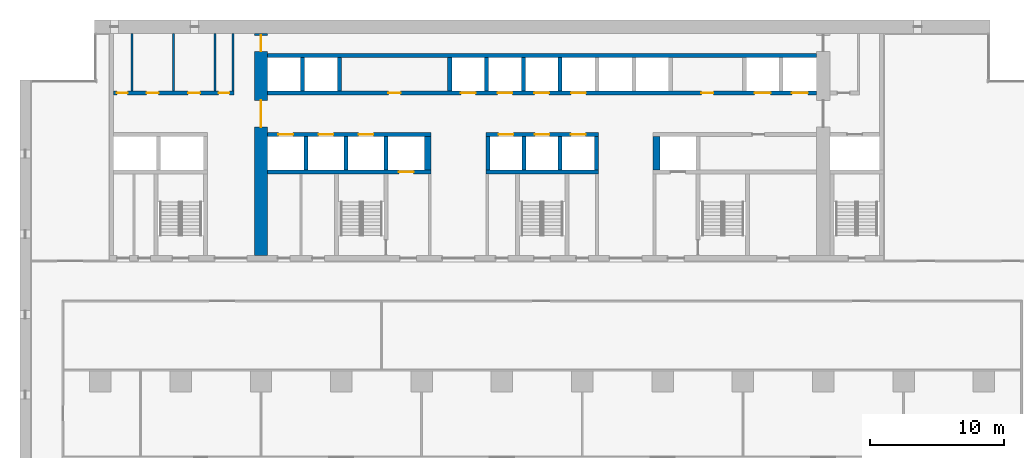
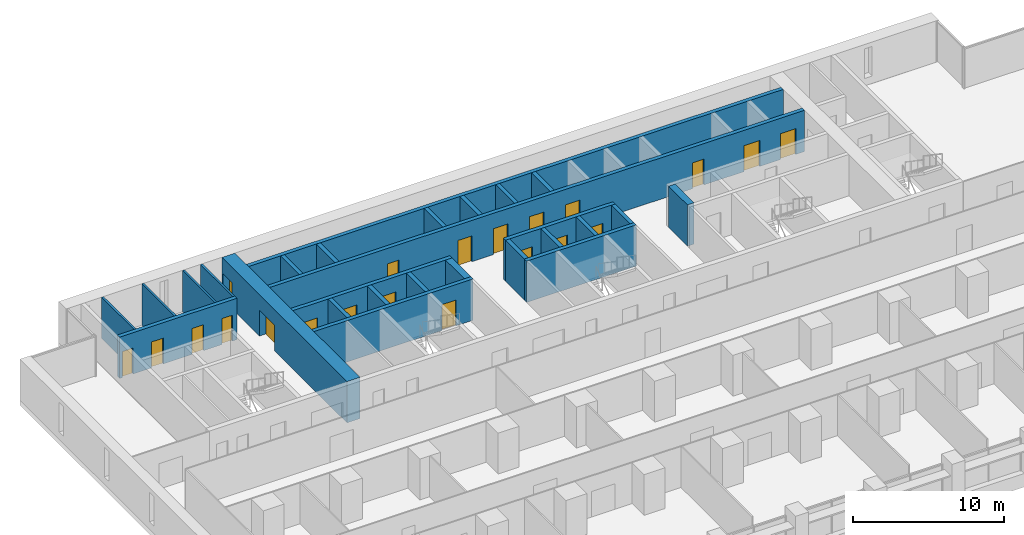
# One storey, part 11 of 18: 27 walls, 21 doors, 21 openings.
"""IFC4 building model written with IfcOpenShell, lengths in metres."""

from ifc_helpers import new_model, si_unit, direction, frame, frame_2d, origin, place, context, subcontext, project, spatial, rectangle, extrude, material, layer, layer_set, type_object, element, fill, save


model = new_model("IFC4")

# Units and contexts
model_context = context("Model", 3, precision=1e-05, world=origin(), true_north=direction((0.0, 1.0)))
body_context = subcontext(model_context, "Body", "Model", "MODEL_VIEW")
ifc_project = project(units=[si_unit("LENGTHUNIT", "METRE"), si_unit("AREAUNIT", "SQUARE_METRE"), si_unit("VOLUMEUNIT", "CUBIC_METRE"), si_unit("PLANEANGLEUNIT", "RADIAN"), si_unit("MASSUNIT", "GRAM", prefix="KILO")], contexts=[model_context])

# Site, building, storey
site_placement = place(None, origin())
site = spatial("IfcSite", under=ifc_project, at=site_placement, CompositionType="ELEMENT")
building_placement = place(site_placement, origin())
building = spatial("IfcBuilding", under=site, at=building_placement, Name="Calvaro Tower", CompositionType="ELEMENT")
storey_placement = place(building_placement, frame((0.0, 0.0, 63.75)))
storey = spatial("IfcBuildingStorey", under=building, at=storey_placement, Name="L15", CompositionType="ELEMENT", Elevation=63.75)

# Walls
ifc_material_1 = material(Name="Blockwork partition", Category="masonry")
ifc_layer_1 = layer(ifc_material_1, 0.14990234375)
ifc_layer_set_1 = layer_set([ifc_layer_1], Name="Blockwork partition")
wall_type_1 = type_object("IfcWallType", Name="Core partition 150 EI 60", PredefinedType="PARTITIONING", material=ifc_layer_set_1)
for number, where, z_axis, x_axis, name in (
    (1, (8.35009765625, 40.699951171875, 0.0), (0.0, 0.0, 1.0), (0.0, 1.0, 0.0), "Core partition"),
    (2, (11.449951171875, 40.699951171875, 0.0), (0.0, 0.0, 1.0), (0.0, 1.0, 0.0), "Core partition"),
    (3, (14.550048828125, 40.699951171875, 0.0), (0.0, 0.0, 1.0), (0.0, 1.0, 0.0), "Core partition"),
):
    element("IfcWall", number, at=place(storey_placement, frame(where, z_axis=z_axis, x_axis=x_axis)), inside=storey, type_object=wall_type_1, Name=name, PredefinedType="PARTITIONING", context=body_context, shape_type="SweptSolid", body=[
        extrude(rectangle(XDim=4.300048828125, YDim=0.14990234375, at=frame_2d((2.14990234375, 0.0))), origin(), (0.0, 0.0, 1.0), 3.35009765625),
    ])
ifc_material_2 = material(Name="Blockwork partition", Category="masonry")
ifc_layer_2 = layer(ifc_material_2, 0.14990234375)
ifc_layer_set_2 = layer_set([ifc_layer_2], Name="Blockwork partition")
wall_type_2 = type_object("IfcWallType", Name="Core partition 150 REI 120", PredefinedType="PARTITIONING", material=ifc_layer_set_2)
wall_1_placement = place(storey_placement, frame((15.925048828125, 40.699951171875, 0.0), z_axis=(0.0, 0.0, 1.0), x_axis=(0.0, 1.0, 0.0)))
element("IfcWall", 4, at=wall_1_placement, inside=storey, type_object=wall_type_2, Name="Core partition", PredefinedType="PARTITIONING", context=body_context, shape_type="SweptSolid", body=[
    extrude(rectangle(XDim=4.300048828125, YDim=0.14990234375, at=frame_2d((2.14990234375, 0.0))), origin(), (0.0, 0.0, 1.0), 3.35009765625),
])

# Wall, openings, doors
ifc_material_3 = material(Name="Blockwork partition", Category="masonry")
ifc_layer_3 = layer(ifc_material_3, 0.300048828125)
ifc_layer_set_3 = layer_set([ifc_layer_3], Name="Blockwork partition")
wall_type_3 = type_object("IfcWallType", Name="Core partition 300 REI 120", PredefinedType="PARTITIONING", material=ifc_layer_set_3)
wall_2_placement = place(storey_placement, frame((7.0, 40.550048828125, 0.0), z_axis=(0.0, 0.0, 1.0), x_axis=(1.0, 0.0, 0.0)))
wall_2 = element("IfcWall", 5, at=wall_2_placement, inside=storey, type_object=wall_type_3, Name="Core partition", PredefinedType="PARTITIONING", context=body_context, shape_type="SweptSolid", body=[
    extrude(rectangle(XDim=9.0, YDim=0.300048828125, at=frame_2d((4.5, 0.0))), origin(), (0.0, 0.0, 1.0), 3.35009765625),
])
opening_1_placement = place(wall_2_placement, frame((0.237548828125, 0.0, 0.0)))
opening_1 = element("IfcOpeningElement", 6, at=opening_1_placement, cuts=wall_2, Name="Opening RD8", PredefinedType="OPENING", context=body_context, shape_type="SweptSolid", body=[
    extrude(rectangle(XDim=0.800048828125, YDim=2.10009765625, at=frame_2d((0.39990234375, 1.050048828125))), frame((0.0, 0.159912109375, 0.0), z_axis=(0.0, -1.0, 0.0), x_axis=(1.0, 0.0, 0.0)), (0.0, 0.0, 1.0), 0.320068359375),
])
opening_2_placement = place(wall_2_placement, frame((2.449951171875, 0.0, 0.0)))
opening_2 = element("IfcOpeningElement", 7, at=opening_2_placement, cuts=wall_2, Name="Opening RD9", PredefinedType="OPENING", context=body_context, shape_type="SweptSolid", body=[
    extrude(rectangle(XDim=0.89990234375, YDim=2.10009765625, at=frame_2d((0.449951171875, 1.050048828125))), frame((0.0, 0.159912109375, 0.0), z_axis=(0.0, -1.0, 0.0), x_axis=(1.0, 0.0, 0.0)), (0.0, 0.0, 1.0), 0.320068359375),
])
opening_3_placement = place(wall_2_placement, frame((5.550048828125, 0.0, 0.0)))
opening_3 = element("IfcOpeningElement", 8, at=opening_3_placement, cuts=wall_2, Name="Opening RD9", PredefinedType="OPENING", context=body_context, shape_type="SweptSolid", body=[
    extrude(rectangle(XDim=0.89990234375, YDim=2.10009765625, at=frame_2d((0.449951171875, 1.050048828125))), frame((0.0, 0.159912109375, 0.0), z_axis=(0.0, -1.0, 0.0), x_axis=(1.0, 0.0, 0.0)), (0.0, 0.0, 1.0), 0.320068359375),
])
opening_4_placement = place(wall_2_placement, frame((7.83740234375, 0.0, 0.0)))
opening_4 = element("IfcOpeningElement", 9, at=opening_4_placement, cuts=wall_2, Name="Opening RD8C", PredefinedType="OPENING", context=body_context, shape_type="SweptSolid", body=[
    extrude(rectangle(XDim=0.800048828125, YDim=2.10009765625, at=frame_2d((0.39990234375, 1.050048828125))), frame((0.0, 0.159912109375, 0.0), z_axis=(0.0, -1.0, 0.0), x_axis=(1.0, 0.0, 0.0)), (0.0, 0.0, 1.0), 0.320068359375),
])
ifc_material_4 = material(Name="Steel door set", Category="steel")
door_type_1 = type_object("IfcDoorType", Name="Room door 800", OperationType="SINGLE_SWING_LEFT", PredefinedType="DOOR", material=ifc_material_4)
door_1_placement = place(opening_1_placement, origin())
door_1 = element("IfcDoor", 10, at=door_1_placement, inside=storey, type_object=door_type_1, Name="Room door", OperationType="SINGLE_SWING_LEFT", OverallHeight=2.10009765625, OverallWidth=0.800048828125, PredefinedType="DOOR", context=body_context, shape_type="SweptSolid", body=[
    extrude(rectangle(XDim=0.800048828125, YDim=2.10009765625, at=frame_2d((0.39990234375, 1.050048828125))), frame((0.0, 0.02490234375, 0.0), z_axis=(0.0, -1.0, 0.0), x_axis=(1.0, 0.0, 0.0)), (0.0, 0.0, 1.0), 0.050048828125),
])
fill(opening_1, door_1)
ifc_material_5 = material(Name="Steel door set", Category="steel")
door_type_2 = type_object("IfcDoorType", Name="Room door 800 FD30", OperationType="SINGLE_SWING_LEFT", PredefinedType="DOOR", material=ifc_material_5)
door_2_placement = place(opening_4_placement, origin())
door_2 = element("IfcDoor", 11, at=door_2_placement, inside=storey, type_object=door_type_2, Name="Room door", OperationType="SINGLE_SWING_RIGHT", OverallHeight=2.10009765625, OverallWidth=0.800048828125, PredefinedType="DOOR", context=body_context, shape_type="SweptSolid", body=[
    extrude(rectangle(XDim=0.800048828125, YDim=2.10009765625, at=frame_2d((0.39990234375, 1.050048828125))), frame((0.0, 0.02490234375, 0.0), z_axis=(0.0, -1.0, 0.0), x_axis=(1.0, 0.0, 0.0)), (0.0, 0.0, 1.0), 0.050048828125),
])
fill(opening_4, door_2)
ifc_material_6 = material(Name="Steel door set", Category="steel")
door_type_3 = type_object("IfcDoorType", Name="Room door 900", OperationType="SINGLE_SWING_LEFT", PredefinedType="DOOR", material=ifc_material_6)
door_3_placement = place(opening_2_placement, origin())
door_3 = element("IfcDoor", 12, at=door_3_placement, inside=storey, type_object=door_type_3, Name="Room door", OperationType="SINGLE_SWING_LEFT", OverallHeight=2.10009765625, OverallWidth=0.89990234375, PredefinedType="DOOR", context=body_context, shape_type="SweptSolid", body=[
    extrude(rectangle(XDim=0.89990234375, YDim=2.10009765625, at=frame_2d((0.449951171875, 1.050048828125))), frame((0.0, 0.02490234375, 0.0), z_axis=(0.0, -1.0, 0.0), x_axis=(1.0, 0.0, 0.0)), (0.0, 0.0, 1.0), 0.050048828125),
])
fill(opening_2, door_3)
door_4_placement = place(opening_3_placement, origin())
door_4 = element("IfcDoor", 13, at=door_4_placement, inside=storey, type_object=door_type_3, Name="Room door", OperationType="SINGLE_SWING_LEFT", OverallHeight=2.10009765625, OverallWidth=0.89990234375, PredefinedType="DOOR", context=body_context, shape_type="SweptSolid", body=[
    extrude(rectangle(XDim=0.89990234375, YDim=2.10009765625, at=frame_2d((0.449951171875, 1.050048828125))), frame((0.0, 0.02490234375, 0.0), z_axis=(0.0, -1.0, 0.0), x_axis=(1.0, 0.0, 0.0)), (0.0, 0.0, 1.0), 0.050048828125),
])
fill(opening_3, door_4)

ifc_material_7 = material(Name="Concrete C80/95", Category="concrete")
ifc_layer_4 = layer(ifc_material_7, 1.0)
ifc_layer_set_4 = layer_set([ifc_layer_4], Name="Concrete C80/95")
wall_type_4 = type_object("IfcWallType", Name="Core wall C80/95 1000", PredefinedType="SHEAR", material=ifc_layer_set_4)
wall_3_placement = place(storey_placement, frame((18.0, 28.39990234375, 0.0), z_axis=(0.0, 0.0, 1.0), x_axis=(0.0, 1.0, 0.0)))
wall_3 = element("IfcWall", 14, at=wall_3_placement, inside=storey, type_object=wall_type_4, Name="Core wall, cross shear wall", PredefinedType="SHEAR", context=body_context, shape_type="SweptSolid", body=[
    extrude(rectangle(XDim=16.60009765625, YDim=1.0, at=frame_2d((8.300048828125, 0.0))), origin(), (0.0, 0.0, 1.0), 3.35009765625),
])
opening_5_placement = place(wall_3_placement, frame((9.60009765625, 0.0, 0.0)))
opening_5 = element("IfcOpeningElement", 15, at=opening_5_placement, cuts=wall_3, Name="Opening DD20D", PredefinedType="OPENING", context=body_context, shape_type="SweptSolid", body=[
    extrude(rectangle(XDim=2.0, YDim=2.10009765625, at=frame_2d((1.0, 1.050048828125))), frame((0.0, 0.510009765625, 0.0), z_axis=(0.0, -1.0, 0.0), x_axis=(1.0, 0.0, 0.0)), (0.0, 0.0, 1.0), 1.02001953125),
])
opening_6_placement = place(wall_3_placement, frame((15.25, 0.0, 0.0)))
opening_6 = element("IfcOpeningElement", 16, at=opening_6_placement, cuts=wall_3, Name="Opening FD12C", PredefinedType="OPENING", context=body_context, shape_type="SweptSolid", body=[
    extrude(rectangle(XDim=1.199951171875, YDim=2.10009765625, at=frame_2d((0.60009765625, 1.050048828125))), frame((0.0, 0.510009765625, 0.0), z_axis=(0.0, -1.0, 0.0), x_axis=(1.0, 0.0, 0.0)), (0.0, 0.0, 1.0), 1.02001953125),
])
ifc_material_8 = material(Name="Steel door set", Category="steel")
door_type_4 = type_object("IfcDoorType", Name="Fire door 1200 FD30", OperationType="SINGLE_SWING_LEFT", PredefinedType="DOOR", material=ifc_material_8)
door_5_placement = place(opening_6_placement, origin())
door_5 = element("IfcDoor", 17, at=door_5_placement, inside=storey, type_object=door_type_4, Name="Fire door", OperationType="SINGLE_SWING_LEFT", OverallHeight=2.10009765625, OverallWidth=1.199951171875, PredefinedType="DOOR", context=body_context, shape_type="SweptSolid", body=[
    extrude(rectangle(XDim=1.199951171875, YDim=2.10009765625, at=frame_2d((0.60009765625, 1.050048828125))), frame((0.0, 0.02490234375, 0.0), z_axis=(0.0, -1.0, 0.0), x_axis=(1.0, 0.0, 0.0)), (0.0, 0.0, 1.0), 0.050048828125),
])
fill(opening_6, door_5)
ifc_material_9 = material(Name="Steel door set", Category="steel")
door_type_5 = type_object("IfcDoorType", Name="Lobby double door 2000 FD30S", OperationType="DOUBLE_DOOR_SINGLE_SWING", PredefinedType="DOOR", material=ifc_material_9)
door_6_placement = place(opening_5_placement, origin())
door_6 = element("IfcDoor", 18, at=door_6_placement, inside=storey, type_object=door_type_5, Name="Lobby double door", OperationType="DOUBLE_DOOR_SINGLE_SWING", OverallHeight=2.10009765625, OverallWidth=2.0, PredefinedType="DOOR", context=body_context, shape_type="SweptSolid", body=[
    extrude(rectangle(XDim=2.0, YDim=2.10009765625, at=frame_2d((1.0, 1.050048828125))), frame((0.0, 0.02490234375, 0.0), z_axis=(0.0, -1.0, 0.0), x_axis=(1.0, 0.0, 0.0)), (0.0, 0.0, 1.0), 0.050048828125),
])
fill(opening_5, door_6)

# Wall, opening, door
ifc_material_10 = material(Name="Concrete C80/95", Category="concrete")
ifc_layer_5 = layer(ifc_material_10, 0.300048828125)
ifc_layer_set_5 = layer_set([ifc_layer_5], Name="Concrete C80/95")
wall_type_5 = type_object("IfcWallType", Name="Core wall C80/95 300", PredefinedType="SHEAR", material=ifc_layer_set_5)
wall_4_placement = place(storey_placement, frame((18.5, 34.64990234375, 0.0), z_axis=(0.0, 0.0, 1.0), x_axis=(1.0, 0.0, 0.0)))
wall_4 = element("IfcWall", 19, at=wall_4_placement, inside=storey, type_object=wall_type_5, Name="Core wall, lift shaft", PredefinedType="SHEAR", context=body_context, shape_type="SweptSolid", body=[
    extrude(rectangle(XDim=12.199951171875, YDim=0.300048828125, at=frame_2d((6.10009765625, 0.0))), origin(), (0.0, 0.0, 1.0), 3.35009765625),
])
opening_7_placement = place(wall_4_placement, frame((9.800048828125, 0.0, 0.0)))
opening_7 = element("IfcOpeningElement", 20, at=opening_7_placement, cuts=wall_4, Name="Opening FF1", PredefinedType="OPENING", context=body_context, shape_type="SweptSolid", body=[
    extrude(rectangle(XDim=1.10009765625, YDim=2.10009765625, at=frame_2d((0.550048828125, 1.050048828125))), frame((0.0, 0.159912109375, 0.0), z_axis=(0.0, -1.0, 0.0), x_axis=(1.0, 0.0, 0.0)), (0.0, 0.0, 1.0), 0.320068359375),
])
ifc_material_11 = material(Name="Stainless steel", Category="steel")
door_type_6 = type_object("IfcDoorType", Name="Landing door 1100 E 60", OperationType="SLIDING_TO_LEFT", PredefinedType="DOOR", material=ifc_material_11)
door_7_placement = place(opening_7_placement, origin())
door_7 = element("IfcDoor", 21, at=door_7_placement, inside=storey, type_object=door_type_6, Name="Landing door FF1", OperationType="SLIDING_TO_LEFT", OverallHeight=2.10009765625, OverallWidth=1.10009765625, PredefinedType="DOOR", context=body_context, shape_type="SweptSolid", body=[
    extrude(rectangle(XDim=1.10009765625, YDim=2.10009765625, at=frame_2d((0.550048828125, 1.050048828125))), frame((0.0, 0.02490234375, 0.0), z_axis=(0.0, -1.0, 0.0), x_axis=(1.0, 0.0, 0.0)), (0.0, 0.0, 1.0), 0.050048828125),
])
fill(opening_7, door_7)

# Wall
wall_5_placement = place(storey_placement, frame((34.800048828125, 34.64990234375, 0.0), z_axis=(0.0, 0.0, 1.0), x_axis=(1.0, 0.0, 0.0)))
element("IfcWall", 22, at=wall_5_placement, inside=storey, type_object=wall_type_5, Name="Core wall, lift shaft", PredefinedType="SHEAR", context=body_context, shape_type="SweptSolid", body=[
    extrude(rectangle(XDim=8.39990234375, YDim=0.300048828125, at=frame_2d((4.199951171875, 0.0))), origin(), (0.0, 0.0, 1.0), 3.35009765625),
])

# Wall, openings, doors
wall_6_placement = place(storey_placement, frame((18.5, 37.449951171875, 0.0), z_axis=(0.0, 0.0, 1.0), x_axis=(1.0, 0.0, 0.0)))
wall_6 = element("IfcWall", 23, at=wall_6_placement, inside=storey, type_object=wall_type_5, Name="Core wall, lift shaft", PredefinedType="SHEAR", context=body_context, shape_type="SweptSolid", body=[
    extrude(rectangle(XDim=12.199951171875, YDim=0.300048828125, at=frame_2d((6.10009765625, 0.0))), origin(), (0.0, 0.0, 1.0), 3.35009765625),
])
opening_8_placement = place(wall_6_placement, frame((0.800048828125, 0.0, 0.0)))
opening_8 = element("IfcOpeningElement", 24, at=opening_8_placement, cuts=wall_6, Name="Opening LR1", PredefinedType="OPENING", context=body_context, shape_type="SweptSolid", body=[
    extrude(rectangle(XDim=1.10009765625, YDim=2.10009765625, at=frame_2d((0.550048828125, 1.050048828125))), frame((0.0, 0.159912109375, 0.0), z_axis=(0.0, -1.0, 0.0), x_axis=(1.0, 0.0, 0.0)), (0.0, 0.0, 1.0), 0.320068359375),
])
opening_9_placement = place(wall_6_placement, frame((3.800048828125, 0.0, 0.0)))
opening_9 = element("IfcOpeningElement", 25, at=opening_9_placement, cuts=wall_6, Name="Opening LR2", PredefinedType="OPENING", context=body_context, shape_type="SweptSolid", body=[
    extrude(rectangle(XDim=1.10009765625, YDim=2.10009765625, at=frame_2d((0.550048828125, 1.050048828125))), frame((0.0, 0.159912109375, 0.0), z_axis=(0.0, -1.0, 0.0), x_axis=(1.0, 0.0, 0.0)), (0.0, 0.0, 1.0), 0.320068359375),
])
opening_10_placement = place(wall_6_placement, frame((6.800048828125, 0.0, 0.0)))
opening_10 = element("IfcOpeningElement", 26, at=opening_10_placement, cuts=wall_6, Name="Opening LR3", PredefinedType="OPENING", context=body_context, shape_type="SweptSolid", body=[
    extrude(rectangle(XDim=1.10009765625, YDim=2.10009765625, at=frame_2d((0.550048828125, 1.050048828125))), frame((0.0, 0.159912109375, 0.0), z_axis=(0.0, -1.0, 0.0), x_axis=(1.0, 0.0, 0.0)), (0.0, 0.0, 1.0), 0.320068359375),
])
door_8_placement = place(opening_8_placement, origin())
door_8 = element("IfcDoor", 27, at=door_8_placement, inside=storey, type_object=door_type_6, Name="Landing door LR1", OperationType="SLIDING_TO_LEFT", OverallHeight=2.10009765625, OverallWidth=1.10009765625, PredefinedType="DOOR", context=body_context, shape_type="SweptSolid", body=[
    extrude(rectangle(XDim=1.10009765625, YDim=2.10009765625, at=frame_2d((0.550048828125, 1.050048828125))), frame((0.0, 0.02490234375, 0.0), z_axis=(0.0, -1.0, 0.0), x_axis=(1.0, 0.0, 0.0)), (0.0, 0.0, 1.0), 0.050048828125),
])
fill(opening_8, door_8)
door_9_placement = place(opening_9_placement, origin())
door_9 = element("IfcDoor", 28, at=door_9_placement, inside=storey, type_object=door_type_6, Name="Landing door LR2", OperationType="SLIDING_TO_LEFT", OverallHeight=2.10009765625, OverallWidth=1.10009765625, PredefinedType="DOOR", context=body_context, shape_type="SweptSolid", body=[
    extrude(rectangle(XDim=1.10009765625, YDim=2.10009765625, at=frame_2d((0.550048828125, 1.050048828125))), frame((0.0, 0.02490234375, 0.0), z_axis=(0.0, -1.0, 0.0), x_axis=(1.0, 0.0, 0.0)), (0.0, 0.0, 1.0), 0.050048828125),
])
fill(opening_9, door_9)
door_10_placement = place(opening_10_placement, origin())
door_10 = element("IfcDoor", 29, at=door_10_placement, inside=storey, type_object=door_type_6, Name="Landing door LR3", OperationType="SLIDING_TO_LEFT", OverallHeight=2.10009765625, OverallWidth=1.10009765625, PredefinedType="DOOR", context=body_context, shape_type="SweptSolid", body=[
    extrude(rectangle(XDim=1.10009765625, YDim=2.10009765625, at=frame_2d((0.550048828125, 1.050048828125))), frame((0.0, 0.02490234375, 0.0), z_axis=(0.0, -1.0, 0.0), x_axis=(1.0, 0.0, 0.0)), (0.0, 0.0, 1.0), 0.050048828125),
])
fill(opening_10, door_10)

wall_7_placement = place(storey_placement, frame((34.800048828125, 37.449951171875, 0.0), z_axis=(0.0, 0.0, 1.0), x_axis=(1.0, 0.0, 0.0)))
wall_7 = element("IfcWall", 30, at=wall_7_placement, inside=storey, type_object=wall_type_5, Name="Core wall, lift shaft", PredefinedType="SHEAR", context=body_context, shape_type="SweptSolid", body=[
    extrude(rectangle(XDim=8.39990234375, YDim=0.300048828125, at=frame_2d((4.199951171875, 0.0))), origin(), (0.0, 0.0, 1.0), 3.35009765625),
])
opening_11_placement = place(wall_7_placement, frame((0.949951171875, 0.0, 0.0)))
opening_11 = element("IfcOpeningElement", 31, at=opening_11_placement, cuts=wall_7, Name="Opening LR4", PredefinedType="OPENING", context=body_context, shape_type="SweptSolid", body=[
    extrude(rectangle(XDim=1.10009765625, YDim=2.10009765625, at=frame_2d((0.550048828125, 1.050048828125))), frame((0.0, 0.159912109375, 0.0), z_axis=(0.0, -1.0, 0.0), x_axis=(1.0, 0.0, 0.0)), (0.0, 0.0, 1.0), 0.320068359375),
])
opening_12_placement = place(wall_7_placement, frame((3.64990234375, 0.0, 0.0)))
opening_12 = element("IfcOpeningElement", 32, at=opening_12_placement, cuts=wall_7, Name="Opening LR5", PredefinedType="OPENING", context=body_context, shape_type="SweptSolid", body=[
    extrude(rectangle(XDim=1.10009765625, YDim=2.10009765625, at=frame_2d((0.550048828125, 1.050048828125))), frame((0.0, 0.159912109375, 0.0), z_axis=(0.0, -1.0, 0.0), x_axis=(1.0, 0.0, 0.0)), (0.0, 0.0, 1.0), 0.320068359375),
])
opening_13_placement = place(wall_7_placement, frame((6.35009765625, 0.0, 0.0)))
opening_13 = element("IfcOpeningElement", 33, at=opening_13_placement, cuts=wall_7, Name="Opening LR6", PredefinedType="OPENING", context=body_context, shape_type="SweptSolid", body=[
    extrude(rectangle(XDim=1.10009765625, YDim=2.10009765625, at=frame_2d((0.550048828125, 1.050048828125))), frame((0.0, 0.159912109375, 0.0), z_axis=(0.0, -1.0, 0.0), x_axis=(1.0, 0.0, 0.0)), (0.0, 0.0, 1.0), 0.320068359375),
])
door_11_placement = place(opening_11_placement, origin())
door_11 = element("IfcDoor", 34, at=door_11_placement, inside=storey, type_object=door_type_6, Name="Landing door LR4", OperationType="SLIDING_TO_LEFT", OverallHeight=2.10009765625, OverallWidth=1.10009765625, PredefinedType="DOOR", context=body_context, shape_type="SweptSolid", body=[
    extrude(rectangle(XDim=1.10009765625, YDim=2.10009765625, at=frame_2d((0.550048828125, 1.050048828125))), frame((0.0, 0.02490234375, 0.0), z_axis=(0.0, -1.0, 0.0), x_axis=(1.0, 0.0, 0.0)), (0.0, 0.0, 1.0), 0.050048828125),
])
fill(opening_11, door_11)
door_12_placement = place(opening_12_placement, origin())
door_12 = element("IfcDoor", 35, at=door_12_placement, inside=storey, type_object=door_type_6, Name="Landing door LR5", OperationType="SLIDING_TO_LEFT", OverallHeight=2.10009765625, OverallWidth=1.10009765625, PredefinedType="DOOR", context=body_context, shape_type="SweptSolid", body=[
    extrude(rectangle(XDim=1.10009765625, YDim=2.10009765625, at=frame_2d((0.550048828125, 1.050048828125))), frame((0.0, 0.02490234375, 0.0), z_axis=(0.0, -1.0, 0.0), x_axis=(1.0, 0.0, 0.0)), (0.0, 0.0, 1.0), 0.050048828125),
])
fill(opening_12, door_12)
door_13_placement = place(opening_13_placement, origin())
door_13 = element("IfcDoor", 36, at=door_13_placement, inside=storey, type_object=door_type_6, Name="Landing door LR6", OperationType="SLIDING_TO_LEFT", OverallHeight=2.10009765625, OverallWidth=1.10009765625, PredefinedType="DOOR", context=body_context, shape_type="SweptSolid", body=[
    extrude(rectangle(XDim=1.10009765625, YDim=2.10009765625, at=frame_2d((0.550048828125, 1.050048828125))), frame((0.0, 0.02490234375, 0.0), z_axis=(0.0, -1.0, 0.0), x_axis=(1.0, 0.0, 0.0)), (0.0, 0.0, 1.0), 0.050048828125),
])
fill(opening_13, door_13)

# Walls
for number, where, z_axis, x_axis, name in (
    (37, (27.35009765625, 34.800048828125, 0.0), (0.0, 0.0, 1.0), (0.0, 1.0, 0.0), "Core wall, lift shaft"),
    (38, (34.949951171875, 34.800048828125, 0.0), (0.0, 0.0, 1.0), (0.0, 1.0, 0.0), "Core wall, lift shaft"),
    (39, (43.050048828125, 34.800048828125, 0.0), (0.0, 0.0, 1.0), (0.0, 1.0, 0.0), "Core wall, lift shaft"),
):
    element("IfcWall", number, at=place(storey_placement, frame(where, z_axis=z_axis, x_axis=x_axis)), inside=storey, type_object=wall_type_5, Name=name, PredefinedType="SHEAR", context=body_context, shape_type="SweptSolid", body=[
        extrude(rectangle(XDim=2.5, YDim=0.300048828125, at=frame_2d((1.25, 0.0))), origin(), (0.0, 0.0, 1.0), 3.35009765625),
    ])

# Wall, openings, doors
wall_8_placement = place(storey_placement, frame((18.5, 40.550048828125, 0.0), z_axis=(0.0, 0.0, 1.0), x_axis=(1.0, 0.0, 0.0)))
wall_8 = element("IfcWall", 40, at=wall_8_placement, inside=storey, type_object=wall_type_5, Name="Core wall, bay", PredefinedType="SHEAR", context=body_context, shape_type="SweptSolid", body=[
    extrude(rectangle(XDim=41.0, YDim=0.300048828125, at=frame_2d((20.5, 0.0))), origin(), (0.0, 0.0, 1.0), 3.35009765625),
])
opening_14_placement = place(wall_8_placement, frame((9.02490234375, 0.0, 0.0)))
opening_14 = element("IfcOpeningElement", 41, at=opening_14_placement, cuts=wall_8, Name="Opening RD9C", PredefinedType="OPENING", context=body_context, shape_type="SweptSolid", body=[
    extrude(rectangle(XDim=0.89990234375, YDim=2.10009765625, at=frame_2d((0.449951171875, 1.050048828125))), frame((0.0, 0.159912109375, 0.0), z_axis=(0.0, -1.0, 0.0), x_axis=(1.0, 0.0, 0.0)), (0.0, 0.0, 1.0), 0.320068359375),
])
opening_15_placement = place(wall_8_placement, frame((32.39990234375, 0.0, 0.0)))
opening_15 = element("IfcOpeningElement", 42, at=opening_15_placement, cuts=wall_8, Name="Opening RD9C", PredefinedType="OPENING", context=body_context, shape_type="SweptSolid", body=[
    extrude(rectangle(XDim=0.89990234375, YDim=2.10009765625, at=frame_2d((0.449951171875, 1.050048828125))), frame((0.0, 0.159912109375, 0.0), z_axis=(0.0, -1.0, 0.0), x_axis=(1.0, 0.0, 0.0)), (0.0, 0.0, 1.0), 0.320068359375),
])
opening_16_placement = place(wall_8_placement, frame((14.425048828125, 0.0, 0.0)))
opening_16 = element("IfcOpeningElement", 43, at=opening_16_placement, cuts=wall_8, Name="Opening LR7", PredefinedType="OPENING", context=body_context, shape_type="SweptSolid", body=[
    extrude(rectangle(XDim=1.10009765625, YDim=2.10009765625, at=frame_2d((0.550048828125, 1.050048828125))), frame((0.0, 0.159912109375, 0.0), z_axis=(0.0, -1.0, 0.0), x_axis=(1.0, 0.0, 0.0)), (0.0, 0.0, 1.0), 0.320068359375),
])
opening_17_placement = place(wall_8_placement, frame((17.175048828125, 0.0, 0.0)))
opening_17 = element("IfcOpeningElement", 44, at=opening_17_placement, cuts=wall_8, Name="Opening LR8", PredefinedType="OPENING", context=body_context, shape_type="SweptSolid", body=[
    extrude(rectangle(XDim=1.10009765625, YDim=2.10009765625, at=frame_2d((0.550048828125, 1.050048828125))), frame((0.0, 0.159912109375, 0.0), z_axis=(0.0, -1.0, 0.0), x_axis=(1.0, 0.0, 0.0)), (0.0, 0.0, 1.0), 0.320068359375),
])
opening_18_placement = place(wall_8_placement, frame((19.925048828125, 0.0, 0.0)))
opening_18 = element("IfcOpeningElement", 45, at=opening_18_placement, cuts=wall_8, Name="Opening LR9", PredefinedType="OPENING", context=body_context, shape_type="SweptSolid", body=[
    extrude(rectangle(XDim=1.10009765625, YDim=2.10009765625, at=frame_2d((0.550048828125, 1.050048828125))), frame((0.0, 0.159912109375, 0.0), z_axis=(0.0, -1.0, 0.0), x_axis=(1.0, 0.0, 0.0)), (0.0, 0.0, 1.0), 0.320068359375),
])
opening_19_placement = place(wall_8_placement, frame((22.675048828125, 0.0, 0.0)))
opening_19 = element("IfcOpeningElement", 46, at=opening_19_placement, cuts=wall_8, Name="Opening LR10", PredefinedType="OPENING", context=body_context, shape_type="SweptSolid", body=[
    extrude(rectangle(XDim=1.10009765625, YDim=2.10009765625, at=frame_2d((0.550048828125, 1.050048828125))), frame((0.0, 0.159912109375, 0.0), z_axis=(0.0, -1.0, 0.0), x_axis=(1.0, 0.0, 0.0)), (0.0, 0.0, 1.0), 0.320068359375),
])
opening_20_placement = place(wall_8_placement, frame((36.375, 0.0, 0.0)))
opening_20 = element("IfcOpeningElement", 47, at=opening_20_placement, cuts=wall_8, Name="Opening SV1", PredefinedType="OPENING", context=body_context, shape_type="SweptSolid", body=[
    extrude(rectangle(XDim=1.199951171875, YDim=2.10009765625, at=frame_2d((0.60009765625, 1.050048828125))), frame((0.0, 0.159912109375, 0.0), z_axis=(0.0, -1.0, 0.0), x_axis=(1.0, 0.0, 0.0)), (0.0, 0.0, 1.0), 0.320068359375),
])
opening_21_placement = place(wall_8_placement, frame((39.14990234375, 0.0, 0.0)))
opening_21 = element("IfcOpeningElement", 48, at=opening_21_placement, cuts=wall_8, Name="Opening SV2", PredefinedType="OPENING", context=body_context, shape_type="SweptSolid", body=[
    extrude(rectangle(XDim=1.199951171875, YDim=2.10009765625, at=frame_2d((0.60009765625, 1.050048828125))), frame((0.0, 0.159912109375, 0.0), z_axis=(0.0, -1.0, 0.0), x_axis=(1.0, 0.0, 0.0)), (0.0, 0.0, 1.0), 0.320068359375),
])
door_14_placement = place(opening_16_placement, origin())
door_14 = element("IfcDoor", 49, at=door_14_placement, inside=storey, type_object=door_type_6, Name="Landing door LR7", OperationType="SLIDING_TO_LEFT", OverallHeight=2.10009765625, OverallWidth=1.10009765625, PredefinedType="DOOR", context=body_context, shape_type="SweptSolid", body=[
    extrude(rectangle(XDim=1.10009765625, YDim=2.10009765625, at=frame_2d((0.550048828125, 1.050048828125))), frame((0.0, 0.02490234375, 0.0), z_axis=(0.0, -1.0, 0.0), x_axis=(1.0, 0.0, 0.0)), (0.0, 0.0, 1.0), 0.050048828125),
])
fill(opening_16, door_14)
door_15_placement = place(opening_17_placement, origin())
door_15 = element("IfcDoor", 50, at=door_15_placement, inside=storey, type_object=door_type_6, Name="Landing door LR8", OperationType="SLIDING_TO_LEFT", OverallHeight=2.10009765625, OverallWidth=1.10009765625, PredefinedType="DOOR", context=body_context, shape_type="SweptSolid", body=[
    extrude(rectangle(XDim=1.10009765625, YDim=2.10009765625, at=frame_2d((0.550048828125, 1.050048828125))), frame((0.0, 0.02490234375, 0.0), z_axis=(0.0, -1.0, 0.0), x_axis=(1.0, 0.0, 0.0)), (0.0, 0.0, 1.0), 0.050048828125),
])
fill(opening_17, door_15)
door_16_placement = place(opening_18_placement, origin())
door_16 = element("IfcDoor", 51, at=door_16_placement, inside=storey, type_object=door_type_6, Name="Landing door LR9", OperationType="SLIDING_TO_LEFT", OverallHeight=2.10009765625, OverallWidth=1.10009765625, PredefinedType="DOOR", context=body_context, shape_type="SweptSolid", body=[
    extrude(rectangle(XDim=1.10009765625, YDim=2.10009765625, at=frame_2d((0.550048828125, 1.050048828125))), frame((0.0, 0.02490234375, 0.0), z_axis=(0.0, -1.0, 0.0), x_axis=(1.0, 0.0, 0.0)), (0.0, 0.0, 1.0), 0.050048828125),
])
fill(opening_18, door_16)
door_17_placement = place(opening_19_placement, origin())
door_17 = element("IfcDoor", 52, at=door_17_placement, inside=storey, type_object=door_type_6, Name="Landing door LR10", OperationType="SLIDING_TO_LEFT", OverallHeight=2.10009765625, OverallWidth=1.10009765625, PredefinedType="DOOR", context=body_context, shape_type="SweptSolid", body=[
    extrude(rectangle(XDim=1.10009765625, YDim=2.10009765625, at=frame_2d((0.550048828125, 1.050048828125))), frame((0.0, 0.02490234375, 0.0), z_axis=(0.0, -1.0, 0.0), x_axis=(1.0, 0.0, 0.0)), (0.0, 0.0, 1.0), 0.050048828125),
])
fill(opening_19, door_17)
ifc_material_12 = material(Name="Stainless steel", Category="steel")
door_type_7 = type_object("IfcDoorType", Name="Landing door 1200 E 60", OperationType="SLIDING_TO_LEFT", PredefinedType="DOOR", material=ifc_material_12)
door_18_placement = place(opening_20_placement, origin())
door_18 = element("IfcDoor", 53, at=door_18_placement, inside=storey, type_object=door_type_7, Name="Landing door SV1", OperationType="SLIDING_TO_LEFT", OverallHeight=2.10009765625, OverallWidth=1.199951171875, PredefinedType="DOOR", context=body_context, shape_type="SweptSolid", body=[
    extrude(rectangle(XDim=1.199951171875, YDim=2.10009765625, at=frame_2d((0.60009765625, 1.050048828125))), frame((0.0, 0.02490234375, 0.0), z_axis=(0.0, -1.0, 0.0), x_axis=(1.0, 0.0, 0.0)), (0.0, 0.0, 1.0), 0.050048828125),
])
fill(opening_20, door_18)
door_19_placement = place(opening_21_placement, origin())
door_19 = element("IfcDoor", 54, at=door_19_placement, inside=storey, type_object=door_type_7, Name="Landing door SV2", OperationType="SLIDING_TO_LEFT", OverallHeight=2.10009765625, OverallWidth=1.199951171875, PredefinedType="DOOR", context=body_context, shape_type="SweptSolid", body=[
    extrude(rectangle(XDim=1.199951171875, YDim=2.10009765625, at=frame_2d((0.60009765625, 1.050048828125))), frame((0.0, 0.02490234375, 0.0), z_axis=(0.0, -1.0, 0.0), x_axis=(1.0, 0.0, 0.0)), (0.0, 0.0, 1.0), 0.050048828125),
])
fill(opening_21, door_19)
ifc_material_13 = material(Name="Steel door set", Category="steel")
door_type_8 = type_object("IfcDoorType", Name="Room door 900 FD30", OperationType="SINGLE_SWING_LEFT", PredefinedType="DOOR", material=ifc_material_13)
door_20_placement = place(opening_14_placement, origin())
door_20 = element("IfcDoor", 55, at=door_20_placement, inside=storey, type_object=door_type_8, Name="Room door", OperationType="SINGLE_SWING_RIGHT", OverallHeight=2.10009765625, OverallWidth=0.89990234375, PredefinedType="DOOR", context=body_context, shape_type="SweptSolid", body=[
    extrude(rectangle(XDim=0.89990234375, YDim=2.10009765625, at=frame_2d((0.449951171875, 1.050048828125))), frame((0.0, 0.02490234375, 0.0), z_axis=(0.0, -1.0, 0.0), x_axis=(1.0, 0.0, 0.0)), (0.0, 0.0, 1.0), 0.050048828125),
])
fill(opening_14, door_20)
door_21_placement = place(opening_15_placement, origin())
door_21 = element("IfcDoor", 56, at=door_21_placement, inside=storey, type_object=door_type_8, Name="Room door", OperationType="SINGLE_SWING_LEFT", OverallHeight=2.10009765625, OverallWidth=0.89990234375, PredefinedType="DOOR", context=body_context, shape_type="SweptSolid", body=[
    extrude(rectangle(XDim=0.89990234375, YDim=2.10009765625, at=frame_2d((0.449951171875, 1.050048828125))), frame((0.0, 0.02490234375, 0.0), z_axis=(0.0, -1.0, 0.0), x_axis=(1.0, 0.0, 0.0)), (0.0, 0.0, 1.0), 0.050048828125),
])
fill(opening_15, door_21)

# Walls
wall_9_placement = place(storey_placement, frame((18.5, 43.35009765625, 0.0), z_axis=(0.0, 0.0, 1.0), x_axis=(1.0, 0.0, 0.0)))
element("IfcWall", 57, at=wall_9_placement, inside=storey, type_object=wall_type_5, Name="Core wall, lift shaft", PredefinedType="SHEAR", context=body_context, shape_type="SweptSolid", body=[
    extrude(rectangle(XDim=41.0, YDim=0.300048828125, at=frame_2d((20.5, 0.0))), origin(), (0.0, 0.0, 1.0), 3.35009765625),
])
for number, where, z_axis, x_axis, name in (
    (58, (21.35009765625, 34.800048828125, 0.0), (0.0, 0.0, 1.0), (0.0, 1.0, 0.0), "Core wall, lift shaft"),
    (59, (24.35009765625, 34.800048828125, 0.0), (0.0, 0.0, 1.0), (0.0, 1.0, 0.0), "Core wall, lift shaft"),
    (60, (37.64990234375, 34.800048828125, 0.0), (0.0, 0.0, 1.0), (0.0, 1.0, 0.0), "Core wall, lift shaft"),
    (61, (40.35009765625, 34.800048828125, 0.0), (0.0, 0.0, 1.0), (0.0, 1.0, 0.0), "Core wall, lift shaft"),
    (62, (21.10009765625, 40.699951171875, 0.0), (0.0, 0.0, 1.0), (0.0, 1.0, 0.0), "Core wall, lift shaft"),
    (63, (23.85009765625, 40.699951171875, 0.0), (0.0, 0.0, 1.0), (0.0, 1.0, 0.0), "Core wall, lift shaft"),
    (64, (32.10009765625, 40.699951171875, 0.0), (0.0, 0.0, 1.0), (0.0, 1.0, 0.0), "Core wall, lift shaft"),
    (65, (34.85009765625, 40.699951171875, 0.0), (0.0, 0.0, 1.0), (0.0, 1.0, 0.0), "Core wall, lift shaft"),
    (66, (37.60009765625, 40.699951171875, 0.0), (0.0, 0.0, 1.0), (0.0, 1.0, 0.0), "Core wall, lift shaft"),
    (67, (40.35009765625, 40.699951171875, 0.0), (0.0, 0.0, 1.0), (0.0, 1.0, 0.0), "Core wall, lift shaft"),
):
    element("IfcWall", number, at=place(storey_placement, frame(where, z_axis=z_axis, x_axis=x_axis)), inside=storey, type_object=wall_type_5, Name=name, PredefinedType="SHEAR", context=body_context, shape_type="SweptSolid", body=[
        extrude(rectangle(XDim=2.5, YDim=0.300048828125, at=frame_2d((1.25, 0.0))), origin(), (0.0, 0.0, 1.0), 3.35009765625),
    ])
ifc_material_14 = material(Name="Concrete C80/95", Category="concrete")
ifc_layer_6 = layer(ifc_material_14, 0.5)
ifc_layer_set_6 = layer_set([ifc_layer_6], Name="Concrete C80/95")
wall_type_6 = type_object("IfcWallType", Name="Core wall C80/95 500", PredefinedType="SHEAR", material=ifc_layer_set_6)
for number, where, z_axis, x_axis, name in (
    (68, (30.449951171875, 34.800048828125, 0.0), (0.0, 0.0, 1.0), (0.0, 1.0, 0.0), "Core wall, lift shaft"),
    (69, (47.550048828125, 34.800048828125, 0.0), (0.0, 0.0, 1.0), (0.0, 1.0, 0.0), "Core wall, lift shaft"),
):
    element("IfcWall", number, at=place(storey_placement, frame(where, z_axis=z_axis, x_axis=x_axis)), inside=storey, type_object=wall_type_6, Name=name, PredefinedType="SHEAR", context=body_context, shape_type="SweptSolid", body=[
        extrude(rectangle(XDim=2.5, YDim=0.5, at=frame_2d((1.25, 0.0))), origin(), (0.0, 0.0, 1.0), 3.35009765625),
    ])

save(model, "model.ifc")
